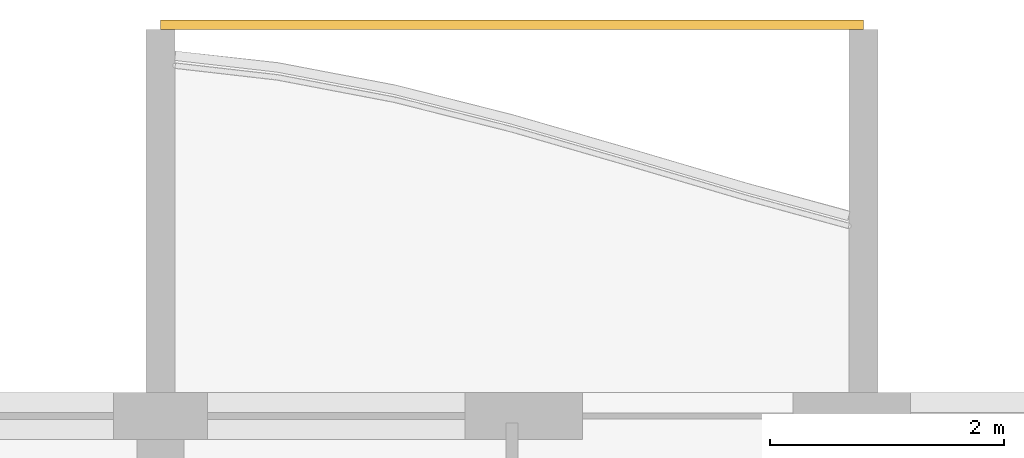
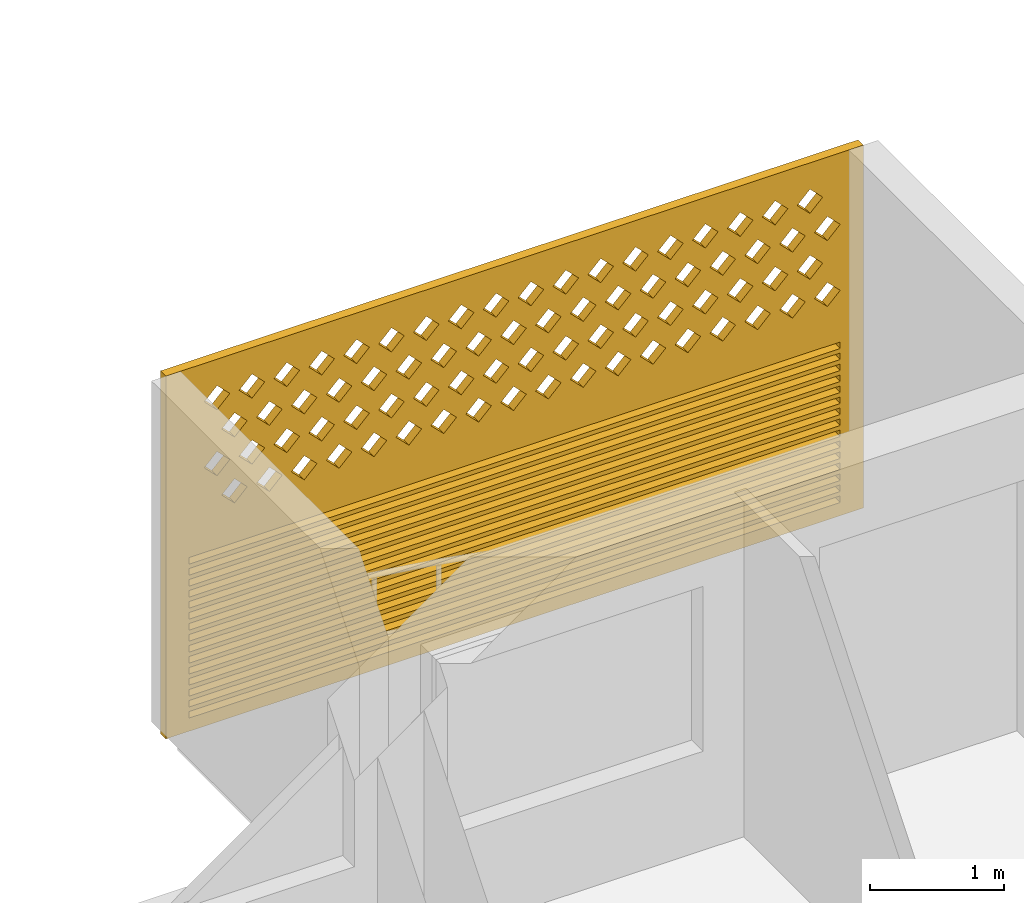
# One storey, part 23 of 38: 1 covering.
"""IFC4 building model written with IfcOpenShell, lengths in metres."""

from ifc_helpers import new_model, si_unit, direction, frame, origin, place, context, subcontext, project, spatial, polyline, outline, extrude, source, transform, mapped, material, material_profile, profile_set, type_object, element, save


model = new_model("IFC4")

# Units and contexts
model_context = context("Model", 3, precision=1e-05, world=origin(), true_north=direction((0.0, 1.0)))
body_context = subcontext(model_context, "Body", "Model", "MODEL_VIEW")
ifc_project = project(units=[si_unit("LENGTHUNIT", "METRE"), si_unit("AREAUNIT", "SQUARE_METRE"), si_unit("VOLUMEUNIT", "CUBIC_METRE"), si_unit("PLANEANGLEUNIT", "RADIAN"), si_unit("MASSUNIT", "GRAM", prefix="KILO")], contexts=[model_context])

# Site, building, storey
site_placement = place(None, origin())
site = spatial("IfcSite", under=ifc_project, at=site_placement, CompositionType="ELEMENT")
building_placement = place(site_placement, origin())
building = spatial("IfcBuilding", under=site, at=building_placement, Name="Poui Terraces", CompositionType="ELEMENT")
storey_placement = place(building_placement, frame((0.0, 0.0, 46.5)))
storey = spatial("IfcBuildingStorey", under=building, at=storey_placement, Name="L12", CompositionType="ELEMENT", Elevation=46.5)

# Covering
ifc_material = material(Name="Terracotta screen", Category="masonry")
ifc_material_profile = material_profile(ifc_material, outline(polyline([(-3.0, -1.64990234375), (3.0, -1.64990234375), (3.0, 1.64990234375), (-3.0, 1.64990234375), (-3.0, -1.64990234375)]), holes=[polyline([(-2.800048828125, 0.39990234375), (-2.68994140625, 0.2900390625), (-2.580078125, 0.39990234375), (-2.68994140625, 0.510009765625), (-2.800048828125, 0.39990234375)]), polyline([(-2.5, 0.39990234375), (-2.389892578125, 0.2900390625), (-2.280029296875, 0.39990234375), (-2.389892578125, 0.510009765625), (-2.5, 0.39990234375)]), polyline([(-2.199951171875, 0.39990234375), (-2.090087890625, 0.2900390625), (-1.97998046875, 0.39990234375), (-2.090087890625, 0.510009765625), (-2.199951171875, 0.39990234375)]), polyline([(-1.89990234375, 0.39990234375), (-1.7900390625, 0.2900390625), (-1.679931640625, 0.39990234375), (-1.7900390625, 0.510009765625), (-1.89990234375, 0.39990234375)]), polyline([(-1.60009765625, 0.39990234375), (-1.489990234375, 0.2900390625), (-1.3798828125, 0.39990234375), (-1.489990234375, 0.510009765625), (-1.60009765625, 0.39990234375)]), polyline([(-1.300048828125, 0.39990234375), (-1.18994140625, 0.2900390625), (-1.080078125, 0.39990234375), (-1.18994140625, 0.510009765625), (-1.300048828125, 0.39990234375)]), polyline([(-1.0, 0.39990234375), (-0.889892578125, 0.2900390625), (-0.780029296875, 0.39990234375), (-0.889892578125, 0.510009765625), (-1.0, 0.39990234375)]), polyline([(-0.699951171875, 0.39990234375), (-0.590087890625, 0.2900390625), (-0.47998046875, 0.39990234375), (-0.590087890625, 0.510009765625), (-0.699951171875, 0.39990234375)]), polyline([(-0.39990234375, 0.39990234375), (-0.2900390625, 0.2900390625), (-0.179931640625, 0.39990234375), (-0.2900390625, 0.510009765625), (-0.39990234375, 0.39990234375)]), polyline([(-0.10009765625, 0.39990234375), (0.010009765625, 0.2900390625), (0.1201171875, 0.39990234375), (0.010009765625, 0.510009765625), (-0.10009765625, 0.39990234375)]), polyline([(0.199951171875, 0.39990234375), (0.31005859375, 0.2900390625), (0.419921875, 0.39990234375), (0.31005859375, 0.510009765625), (0.199951171875, 0.39990234375)]), polyline([(0.5, 0.39990234375), (0.610107421875, 0.2900390625), (0.719970703125, 0.39990234375), (0.610107421875, 0.510009765625), (0.5, 0.39990234375)]), polyline([(0.800048828125, 0.39990234375), (0.909912109375, 0.2900390625), (1.02001953125, 0.39990234375), (0.909912109375, 0.510009765625), (0.800048828125, 0.39990234375)]), polyline([(1.10009765625, 0.39990234375), (1.2099609375, 0.2900390625), (1.320068359375, 0.39990234375), (1.2099609375, 0.510009765625), (1.10009765625, 0.39990234375)]), polyline([(1.39990234375, 0.39990234375), (1.510009765625, 0.2900390625), (1.6201171875, 0.39990234375), (1.510009765625, 0.510009765625), (1.39990234375, 0.39990234375)]), polyline([(1.699951171875, 0.39990234375), (1.81005859375, 0.2900390625), (1.919921875, 0.39990234375), (1.81005859375, 0.510009765625), (1.699951171875, 0.39990234375)]), polyline([(2.0, 0.39990234375), (2.110107421875, 0.2900390625), (2.219970703125, 0.39990234375), (2.110107421875, 0.510009765625), (2.0, 0.39990234375)]), polyline([(2.300048828125, 0.39990234375), (2.409912109375, 0.2900390625), (2.52001953125, 0.39990234375), (2.409912109375, 0.510009765625), (2.300048828125, 0.39990234375)]), polyline([(-2.64990234375, 0.699951171875), (-2.5400390625, 0.590087890625), (-2.429931640625, 0.699951171875), (-2.5400390625, 0.81005859375), (-2.64990234375, 0.699951171875)]), polyline([(-2.35009765625, 0.699951171875), (-2.239990234375, 0.590087890625), (-2.1298828125, 0.699951171875), (-2.239990234375, 0.81005859375), (-2.35009765625, 0.699951171875)]), polyline([(-2.050048828125, 0.699951171875), (-1.93994140625, 0.590087890625), (-1.830078125, 0.699951171875), (-1.93994140625, 0.81005859375), (-2.050048828125, 0.699951171875)]), polyline([(-1.75, 0.699951171875), (-1.639892578125, 0.590087890625), (-1.530029296875, 0.699951171875), (-1.639892578125, 0.81005859375), (-1.75, 0.699951171875)]), polyline([(-1.449951171875, 0.699951171875), (-1.340087890625, 0.590087890625), (-1.22998046875, 0.699951171875), (-1.340087890625, 0.81005859375), (-1.449951171875, 0.699951171875)]), polyline([(-1.14990234375, 0.699951171875), (-1.0400390625, 0.590087890625), (-0.929931640625, 0.699951171875), (-1.0400390625, 0.81005859375), (-1.14990234375, 0.699951171875)]), polyline([(-0.85009765625, 0.699951171875), (-0.739990234375, 0.590087890625), (-0.6298828125, 0.699951171875), (-0.739990234375, 0.81005859375), (-0.85009765625, 0.699951171875)]), polyline([(-0.550048828125, 0.699951171875), (-0.43994140625, 0.590087890625), (-0.330078125, 0.699951171875), (-0.43994140625, 0.81005859375), (-0.550048828125, 0.699951171875)]), polyline([(-0.25, 0.699951171875), (-0.139892578125, 0.590087890625), (-0.030029296875, 0.699951171875), (-0.139892578125, 0.81005859375), (-0.25, 0.699951171875)]), polyline([(0.050048828125, 0.699951171875), (0.159912109375, 0.590087890625), (0.27001953125, 0.699951171875), (0.159912109375, 0.81005859375), (0.050048828125, 0.699951171875)]), polyline([(0.35009765625, 0.699951171875), (0.4599609375, 0.590087890625), (0.570068359375, 0.699951171875), (0.4599609375, 0.81005859375), (0.35009765625, 0.699951171875)]), polyline([(0.64990234375, 0.699951171875), (0.760009765625, 0.590087890625), (0.8701171875, 0.699951171875), (0.760009765625, 0.81005859375), (0.64990234375, 0.699951171875)]), polyline([(0.949951171875, 0.699951171875), (1.06005859375, 0.590087890625), (1.169921875, 0.699951171875), (1.06005859375, 0.81005859375), (0.949951171875, 0.699951171875)]), polyline([(1.25, 0.699951171875), (1.360107421875, 0.590087890625), (1.469970703125, 0.699951171875), (1.360107421875, 0.81005859375), (1.25, 0.699951171875)]), polyline([(1.550048828125, 0.699951171875), (1.659912109375, 0.590087890625), (1.77001953125, 0.699951171875), (1.659912109375, 0.81005859375), (1.550048828125, 0.699951171875)]), polyline([(1.85009765625, 0.699951171875), (1.9599609375, 0.590087890625), (2.070068359375, 0.699951171875), (1.9599609375, 0.81005859375), (1.85009765625, 0.699951171875)]), polyline([(2.14990234375, 0.699951171875), (2.260009765625, 0.590087890625), (2.3701171875, 0.699951171875), (2.260009765625, 0.81005859375), (2.14990234375, 0.699951171875)]), polyline([(2.449951171875, 0.699951171875), (2.56005859375, 0.590087890625), (2.669921875, 0.699951171875), (2.56005859375, 0.81005859375), (2.449951171875, 0.699951171875)]), polyline([(-2.800048828125, 1.0), (-2.68994140625, 0.889892578125), (-2.580078125, 1.0), (-2.68994140625, 1.110107421875), (-2.800048828125, 1.0)]), polyline([(-2.5, 1.0), (-2.389892578125, 0.889892578125), (-2.280029296875, 1.0), (-2.389892578125, 1.110107421875), (-2.5, 1.0)]), polyline([(-2.199951171875, 1.0), (-2.090087890625, 0.889892578125), (-1.97998046875, 1.0), (-2.090087890625, 1.110107421875), (-2.199951171875, 1.0)]), polyline([(-1.89990234375, 1.0), (-1.7900390625, 0.889892578125), (-1.679931640625, 1.0), (-1.7900390625, 1.110107421875), (-1.89990234375, 1.0)]), polyline([(-1.60009765625, 1.0), (-1.489990234375, 0.889892578125), (-1.3798828125, 1.0), (-1.489990234375, 1.110107421875), (-1.60009765625, 1.0)]), polyline([(-1.300048828125, 1.0), (-1.18994140625, 0.889892578125), (-1.080078125, 1.0), (-1.18994140625, 1.110107421875), (-1.300048828125, 1.0)]), polyline([(-1.0, 1.0), (-0.889892578125, 0.889892578125), (-0.780029296875, 1.0), (-0.889892578125, 1.110107421875), (-1.0, 1.0)]), polyline([(-0.699951171875, 1.0), (-0.590087890625, 0.889892578125), (-0.47998046875, 1.0), (-0.590087890625, 1.110107421875), (-0.699951171875, 1.0)]), polyline([(-0.39990234375, 1.0), (-0.2900390625, 0.889892578125), (-0.179931640625, 1.0), (-0.2900390625, 1.110107421875), (-0.39990234375, 1.0)]), polyline([(-0.10009765625, 1.0), (0.010009765625, 0.889892578125), (0.1201171875, 1.0), (0.010009765625, 1.110107421875), (-0.10009765625, 1.0)]), polyline([(0.199951171875, 1.0), (0.31005859375, 0.889892578125), (0.419921875, 1.0), (0.31005859375, 1.110107421875), (0.199951171875, 1.0)]), polyline([(0.5, 1.0), (0.610107421875, 0.889892578125), (0.719970703125, 1.0), (0.610107421875, 1.110107421875), (0.5, 1.0)]), polyline([(0.800048828125, 1.0), (0.909912109375, 0.889892578125), (1.02001953125, 1.0), (0.909912109375, 1.110107421875), (0.800048828125, 1.0)]), polyline([(1.10009765625, 1.0), (1.2099609375, 0.889892578125), (1.320068359375, 1.0), (1.2099609375, 1.110107421875), (1.10009765625, 1.0)]), polyline([(1.39990234375, 1.0), (1.510009765625, 0.889892578125), (1.6201171875, 1.0), (1.510009765625, 1.110107421875), (1.39990234375, 1.0)]), polyline([(1.699951171875, 1.0), (1.81005859375, 0.889892578125), (1.919921875, 1.0), (1.81005859375, 1.110107421875), (1.699951171875, 1.0)]), polyline([(2.0, 1.0), (2.110107421875, 0.889892578125), (2.219970703125, 1.0), (2.110107421875, 1.110107421875), (2.0, 1.0)]), polyline([(2.300048828125, 1.0), (2.409912109375, 0.889892578125), (2.52001953125, 1.0), (2.409912109375, 1.110107421875), (2.300048828125, 1.0)]), polyline([(-2.64990234375, 1.300048828125), (-2.5400390625, 1.18994140625), (-2.429931640625, 1.300048828125), (-2.5400390625, 1.409912109375), (-2.64990234375, 1.300048828125)]), polyline([(-2.35009765625, 1.300048828125), (-2.239990234375, 1.18994140625), (-2.1298828125, 1.300048828125), (-2.239990234375, 1.409912109375), (-2.35009765625, 1.300048828125)]), polyline([(-2.050048828125, 1.300048828125), (-1.93994140625, 1.18994140625), (-1.830078125, 1.300048828125), (-1.93994140625, 1.409912109375), (-2.050048828125, 1.300048828125)]), polyline([(-1.75, 1.300048828125), (-1.639892578125, 1.18994140625), (-1.530029296875, 1.300048828125), (-1.639892578125, 1.409912109375), (-1.75, 1.300048828125)]), polyline([(-1.449951171875, 1.300048828125), (-1.340087890625, 1.18994140625), (-1.22998046875, 1.300048828125), (-1.340087890625, 1.409912109375), (-1.449951171875, 1.300048828125)]), polyline([(-1.14990234375, 1.300048828125), (-1.0400390625, 1.18994140625), (-0.929931640625, 1.300048828125), (-1.0400390625, 1.409912109375), (-1.14990234375, 1.300048828125)]), polyline([(-0.85009765625, 1.300048828125), (-0.739990234375, 1.18994140625), (-0.6298828125, 1.300048828125), (-0.739990234375, 1.409912109375), (-0.85009765625, 1.300048828125)]), polyline([(-0.550048828125, 1.300048828125), (-0.43994140625, 1.18994140625), (-0.330078125, 1.300048828125), (-0.43994140625, 1.409912109375), (-0.550048828125, 1.300048828125)]), polyline([(-0.25, 1.300048828125), (-0.139892578125, 1.18994140625), (-0.030029296875, 1.300048828125), (-0.139892578125, 1.409912109375), (-0.25, 1.300048828125)]), polyline([(0.050048828125, 1.300048828125), (0.159912109375, 1.18994140625), (0.27001953125, 1.300048828125), (0.159912109375, 1.409912109375), (0.050048828125, 1.300048828125)]), polyline([(0.35009765625, 1.300048828125), (0.4599609375, 1.18994140625), (0.570068359375, 1.300048828125), (0.4599609375, 1.409912109375), (0.35009765625, 1.300048828125)]), polyline([(0.64990234375, 1.300048828125), (0.760009765625, 1.18994140625), (0.8701171875, 1.300048828125), (0.760009765625, 1.409912109375), (0.64990234375, 1.300048828125)]), polyline([(0.949951171875, 1.300048828125), (1.06005859375, 1.18994140625), (1.169921875, 1.300048828125), (1.06005859375, 1.409912109375), (0.949951171875, 1.300048828125)]), polyline([(1.25, 1.300048828125), (1.360107421875, 1.18994140625), (1.469970703125, 1.300048828125), (1.360107421875, 1.409912109375), (1.25, 1.300048828125)]), polyline([(1.550048828125, 1.300048828125), (1.659912109375, 1.18994140625), (1.77001953125, 1.300048828125), (1.659912109375, 1.409912109375), (1.550048828125, 1.300048828125)]), polyline([(1.85009765625, 1.300048828125), (1.9599609375, 1.18994140625), (2.070068359375, 1.300048828125), (1.9599609375, 1.409912109375), (1.85009765625, 1.300048828125)]), polyline([(2.14990234375, 1.300048828125), (2.260009765625, 1.18994140625), (2.3701171875, 1.300048828125), (2.260009765625, 1.409912109375), (2.14990234375, 1.300048828125)]), polyline([(2.449951171875, 1.300048828125), (2.56005859375, 1.18994140625), (2.669921875, 1.300048828125), (2.56005859375, 1.409912109375), (2.449951171875, 1.300048828125)]), polyline([(-2.800048828125, -1.530029296875), (2.800048828125, -1.530029296875), (2.800048828125, -1.469970703125), (-2.800048828125, -1.469970703125), (-2.800048828125, -1.530029296875)]), polyline([(-2.800048828125, -1.429931640625), (2.800048828125, -1.429931640625), (2.800048828125, -1.3701171875), (-2.800048828125, -1.3701171875), (-2.800048828125, -1.429931640625)]), polyline([(-2.800048828125, -1.330078125), (2.800048828125, -1.330078125), (2.800048828125, -1.27001953125), (-2.800048828125, -1.27001953125), (-2.800048828125, -1.330078125)]), polyline([(-2.800048828125, -1.22998046875), (2.800048828125, -1.22998046875), (2.800048828125, -1.169921875), (-2.800048828125, -1.169921875), (-2.800048828125, -1.22998046875)]), polyline([(-2.800048828125, -1.1298828125), (2.800048828125, -1.1298828125), (2.800048828125, -1.070068359375), (-2.800048828125, -1.070068359375), (-2.800048828125, -1.1298828125)]), polyline([(-2.800048828125, -1.030029296875), (2.800048828125, -1.030029296875), (2.800048828125, -0.969970703125), (-2.800048828125, -0.969970703125), (-2.800048828125, -1.030029296875)]), polyline([(-2.800048828125, -0.929931640625), (2.800048828125, -0.929931640625), (2.800048828125, -0.8701171875), (-2.800048828125, -0.8701171875), (-2.800048828125, -0.929931640625)]), polyline([(-2.800048828125, -0.830078125), (2.800048828125, -0.830078125), (2.800048828125, -0.77001953125), (-2.800048828125, -0.77001953125), (-2.800048828125, -0.830078125)]), polyline([(-2.800048828125, -0.72998046875), (2.800048828125, -0.72998046875), (2.800048828125, -0.669921875), (-2.800048828125, -0.669921875), (-2.800048828125, -0.72998046875)]), polyline([(-2.800048828125, -0.6298828125), (2.800048828125, -0.6298828125), (2.800048828125, -0.570068359375), (-2.800048828125, -0.570068359375), (-2.800048828125, -0.6298828125)]), polyline([(-2.800048828125, -0.530029296875), (2.800048828125, -0.530029296875), (2.800048828125, -0.469970703125), (-2.800048828125, -0.469970703125), (-2.800048828125, -0.530029296875)]), polyline([(-2.800048828125, -0.429931640625), (2.800048828125, -0.429931640625), (2.800048828125, -0.3701171875), (-2.800048828125, -0.3701171875), (-2.800048828125, -0.429931640625)]), polyline([(-2.800048828125, -0.330078125), (2.800048828125, -0.330078125), (2.800048828125, -0.27001953125), (-2.800048828125, -0.27001953125), (-2.800048828125, -0.330078125)]), polyline([(-2.800048828125, -0.22998046875), (2.800048828125, -0.22998046875), (2.800048828125, -0.169921875), (-2.800048828125, -0.169921875), (-2.800048828125, -0.22998046875)]), polyline([(-2.800048828125, -0.1298828125), (2.800048828125, -0.1298828125), (2.800048828125, -0.070068359375), (-2.800048828125, -0.070068359375), (-2.800048828125, -0.1298828125)])]), Name="TERRACOTTA SCREEN AND JALOUSIE LOUVRE 6000X3300")
ifc_profile_set = profile_set([ifc_material_profile], Name="Terracotta screen")
covering_type = type_object("IfcCoveringType", Name="TERRACOTTA SCREEN AND JALOUSIE LOUVRE 6000X3300", PredefinedType="CLADDING", material=ifc_profile_set)
shared_shape = source(origin(), body_context, "Body", "SweptSolid", [
    extrude(outline(polyline([(-3.0, -1.64990234375), (3.0, -1.64990234375), (3.0, 1.64990234375), (-3.0, 1.64990234375), (-3.0, -1.64990234375)]), holes=[polyline([(-2.800048828125, 0.39990234375), (-2.68994140625, 0.2900390625), (-2.580078125, 0.39990234375), (-2.68994140625, 0.510009765625), (-2.800048828125, 0.39990234375)]), polyline([(-2.5, 0.39990234375), (-2.389892578125, 0.2900390625), (-2.280029296875, 0.39990234375), (-2.389892578125, 0.510009765625), (-2.5, 0.39990234375)]), polyline([(-2.199951171875, 0.39990234375), (-2.090087890625, 0.2900390625), (-1.97998046875, 0.39990234375), (-2.090087890625, 0.510009765625), (-2.199951171875, 0.39990234375)]), polyline([(-1.89990234375, 0.39990234375), (-1.7900390625, 0.2900390625), (-1.679931640625, 0.39990234375), (-1.7900390625, 0.510009765625), (-1.89990234375, 0.39990234375)]), polyline([(-1.60009765625, 0.39990234375), (-1.489990234375, 0.2900390625), (-1.3798828125, 0.39990234375), (-1.489990234375, 0.510009765625), (-1.60009765625, 0.39990234375)]), polyline([(-1.300048828125, 0.39990234375), (-1.18994140625, 0.2900390625), (-1.080078125, 0.39990234375), (-1.18994140625, 0.510009765625), (-1.300048828125, 0.39990234375)]), polyline([(-1.0, 0.39990234375), (-0.889892578125, 0.2900390625), (-0.780029296875, 0.39990234375), (-0.889892578125, 0.510009765625), (-1.0, 0.39990234375)]), polyline([(-0.699951171875, 0.39990234375), (-0.590087890625, 0.2900390625), (-0.47998046875, 0.39990234375), (-0.590087890625, 0.510009765625), (-0.699951171875, 0.39990234375)]), polyline([(-0.39990234375, 0.39990234375), (-0.2900390625, 0.2900390625), (-0.179931640625, 0.39990234375), (-0.2900390625, 0.510009765625), (-0.39990234375, 0.39990234375)]), polyline([(-0.10009765625, 0.39990234375), (0.010009765625, 0.2900390625), (0.1201171875, 0.39990234375), (0.010009765625, 0.510009765625), (-0.10009765625, 0.39990234375)]), polyline([(0.199951171875, 0.39990234375), (0.31005859375, 0.2900390625), (0.419921875, 0.39990234375), (0.31005859375, 0.510009765625), (0.199951171875, 0.39990234375)]), polyline([(0.5, 0.39990234375), (0.610107421875, 0.2900390625), (0.719970703125, 0.39990234375), (0.610107421875, 0.510009765625), (0.5, 0.39990234375)]), polyline([(0.800048828125, 0.39990234375), (0.909912109375, 0.2900390625), (1.02001953125, 0.39990234375), (0.909912109375, 0.510009765625), (0.800048828125, 0.39990234375)]), polyline([(1.10009765625, 0.39990234375), (1.2099609375, 0.2900390625), (1.320068359375, 0.39990234375), (1.2099609375, 0.510009765625), (1.10009765625, 0.39990234375)]), polyline([(1.39990234375, 0.39990234375), (1.510009765625, 0.2900390625), (1.6201171875, 0.39990234375), (1.510009765625, 0.510009765625), (1.39990234375, 0.39990234375)]), polyline([(1.699951171875, 0.39990234375), (1.81005859375, 0.2900390625), (1.919921875, 0.39990234375), (1.81005859375, 0.510009765625), (1.699951171875, 0.39990234375)]), polyline([(2.0, 0.39990234375), (2.110107421875, 0.2900390625), (2.219970703125, 0.39990234375), (2.110107421875, 0.510009765625), (2.0, 0.39990234375)]), polyline([(2.300048828125, 0.39990234375), (2.409912109375, 0.2900390625), (2.52001953125, 0.39990234375), (2.409912109375, 0.510009765625), (2.300048828125, 0.39990234375)]), polyline([(-2.64990234375, 0.699951171875), (-2.5400390625, 0.590087890625), (-2.429931640625, 0.699951171875), (-2.5400390625, 0.81005859375), (-2.64990234375, 0.699951171875)]), polyline([(-2.35009765625, 0.699951171875), (-2.239990234375, 0.590087890625), (-2.1298828125, 0.699951171875), (-2.239990234375, 0.81005859375), (-2.35009765625, 0.699951171875)]), polyline([(-2.050048828125, 0.699951171875), (-1.93994140625, 0.590087890625), (-1.830078125, 0.699951171875), (-1.93994140625, 0.81005859375), (-2.050048828125, 0.699951171875)]), polyline([(-1.75, 0.699951171875), (-1.639892578125, 0.590087890625), (-1.530029296875, 0.699951171875), (-1.639892578125, 0.81005859375), (-1.75, 0.699951171875)]), polyline([(-1.449951171875, 0.699951171875), (-1.340087890625, 0.590087890625), (-1.22998046875, 0.699951171875), (-1.340087890625, 0.81005859375), (-1.449951171875, 0.699951171875)]), polyline([(-1.14990234375, 0.699951171875), (-1.0400390625, 0.590087890625), (-0.929931640625, 0.699951171875), (-1.0400390625, 0.81005859375), (-1.14990234375, 0.699951171875)]), polyline([(-0.85009765625, 0.699951171875), (-0.739990234375, 0.590087890625), (-0.6298828125, 0.699951171875), (-0.739990234375, 0.81005859375), (-0.85009765625, 0.699951171875)]), polyline([(-0.550048828125, 0.699951171875), (-0.43994140625, 0.590087890625), (-0.330078125, 0.699951171875), (-0.43994140625, 0.81005859375), (-0.550048828125, 0.699951171875)]), polyline([(-0.25, 0.699951171875), (-0.139892578125, 0.590087890625), (-0.030029296875, 0.699951171875), (-0.139892578125, 0.81005859375), (-0.25, 0.699951171875)]), polyline([(0.050048828125, 0.699951171875), (0.159912109375, 0.590087890625), (0.27001953125, 0.699951171875), (0.159912109375, 0.81005859375), (0.050048828125, 0.699951171875)]), polyline([(0.35009765625, 0.699951171875), (0.4599609375, 0.590087890625), (0.570068359375, 0.699951171875), (0.4599609375, 0.81005859375), (0.35009765625, 0.699951171875)]), polyline([(0.64990234375, 0.699951171875), (0.760009765625, 0.590087890625), (0.8701171875, 0.699951171875), (0.760009765625, 0.81005859375), (0.64990234375, 0.699951171875)]), polyline([(0.949951171875, 0.699951171875), (1.06005859375, 0.590087890625), (1.169921875, 0.699951171875), (1.06005859375, 0.81005859375), (0.949951171875, 0.699951171875)]), polyline([(1.25, 0.699951171875), (1.360107421875, 0.590087890625), (1.469970703125, 0.699951171875), (1.360107421875, 0.81005859375), (1.25, 0.699951171875)]), polyline([(1.550048828125, 0.699951171875), (1.659912109375, 0.590087890625), (1.77001953125, 0.699951171875), (1.659912109375, 0.81005859375), (1.550048828125, 0.699951171875)]), polyline([(1.85009765625, 0.699951171875), (1.9599609375, 0.590087890625), (2.070068359375, 0.699951171875), (1.9599609375, 0.81005859375), (1.85009765625, 0.699951171875)]), polyline([(2.14990234375, 0.699951171875), (2.260009765625, 0.590087890625), (2.3701171875, 0.699951171875), (2.260009765625, 0.81005859375), (2.14990234375, 0.699951171875)]), polyline([(2.449951171875, 0.699951171875), (2.56005859375, 0.590087890625), (2.669921875, 0.699951171875), (2.56005859375, 0.81005859375), (2.449951171875, 0.699951171875)]), polyline([(-2.800048828125, 1.0), (-2.68994140625, 0.889892578125), (-2.580078125, 1.0), (-2.68994140625, 1.110107421875), (-2.800048828125, 1.0)]), polyline([(-2.5, 1.0), (-2.389892578125, 0.889892578125), (-2.280029296875, 1.0), (-2.389892578125, 1.110107421875), (-2.5, 1.0)]), polyline([(-2.199951171875, 1.0), (-2.090087890625, 0.889892578125), (-1.97998046875, 1.0), (-2.090087890625, 1.110107421875), (-2.199951171875, 1.0)]), polyline([(-1.89990234375, 1.0), (-1.7900390625, 0.889892578125), (-1.679931640625, 1.0), (-1.7900390625, 1.110107421875), (-1.89990234375, 1.0)]), polyline([(-1.60009765625, 1.0), (-1.489990234375, 0.889892578125), (-1.3798828125, 1.0), (-1.489990234375, 1.110107421875), (-1.60009765625, 1.0)]), polyline([(-1.300048828125, 1.0), (-1.18994140625, 0.889892578125), (-1.080078125, 1.0), (-1.18994140625, 1.110107421875), (-1.300048828125, 1.0)]), polyline([(-1.0, 1.0), (-0.889892578125, 0.889892578125), (-0.780029296875, 1.0), (-0.889892578125, 1.110107421875), (-1.0, 1.0)]), polyline([(-0.699951171875, 1.0), (-0.590087890625, 0.889892578125), (-0.47998046875, 1.0), (-0.590087890625, 1.110107421875), (-0.699951171875, 1.0)]), polyline([(-0.39990234375, 1.0), (-0.2900390625, 0.889892578125), (-0.179931640625, 1.0), (-0.2900390625, 1.110107421875), (-0.39990234375, 1.0)]), polyline([(-0.10009765625, 1.0), (0.010009765625, 0.889892578125), (0.1201171875, 1.0), (0.010009765625, 1.110107421875), (-0.10009765625, 1.0)]), polyline([(0.199951171875, 1.0), (0.31005859375, 0.889892578125), (0.419921875, 1.0), (0.31005859375, 1.110107421875), (0.199951171875, 1.0)]), polyline([(0.5, 1.0), (0.610107421875, 0.889892578125), (0.719970703125, 1.0), (0.610107421875, 1.110107421875), (0.5, 1.0)]), polyline([(0.800048828125, 1.0), (0.909912109375, 0.889892578125), (1.02001953125, 1.0), (0.909912109375, 1.110107421875), (0.800048828125, 1.0)]), polyline([(1.10009765625, 1.0), (1.2099609375, 0.889892578125), (1.320068359375, 1.0), (1.2099609375, 1.110107421875), (1.10009765625, 1.0)]), polyline([(1.39990234375, 1.0), (1.510009765625, 0.889892578125), (1.6201171875, 1.0), (1.510009765625, 1.110107421875), (1.39990234375, 1.0)]), polyline([(1.699951171875, 1.0), (1.81005859375, 0.889892578125), (1.919921875, 1.0), (1.81005859375, 1.110107421875), (1.699951171875, 1.0)]), polyline([(2.0, 1.0), (2.110107421875, 0.889892578125), (2.219970703125, 1.0), (2.110107421875, 1.110107421875), (2.0, 1.0)]), polyline([(2.300048828125, 1.0), (2.409912109375, 0.889892578125), (2.52001953125, 1.0), (2.409912109375, 1.110107421875), (2.300048828125, 1.0)]), polyline([(-2.64990234375, 1.300048828125), (-2.5400390625, 1.18994140625), (-2.429931640625, 1.300048828125), (-2.5400390625, 1.409912109375), (-2.64990234375, 1.300048828125)]), polyline([(-2.35009765625, 1.300048828125), (-2.239990234375, 1.18994140625), (-2.1298828125, 1.300048828125), (-2.239990234375, 1.409912109375), (-2.35009765625, 1.300048828125)]), polyline([(-2.050048828125, 1.300048828125), (-1.93994140625, 1.18994140625), (-1.830078125, 1.300048828125), (-1.93994140625, 1.409912109375), (-2.050048828125, 1.300048828125)]), polyline([(-1.75, 1.300048828125), (-1.639892578125, 1.18994140625), (-1.530029296875, 1.300048828125), (-1.639892578125, 1.409912109375), (-1.75, 1.300048828125)]), polyline([(-1.449951171875, 1.300048828125), (-1.340087890625, 1.18994140625), (-1.22998046875, 1.300048828125), (-1.340087890625, 1.409912109375), (-1.449951171875, 1.300048828125)]), polyline([(-1.14990234375, 1.300048828125), (-1.0400390625, 1.18994140625), (-0.929931640625, 1.300048828125), (-1.0400390625, 1.409912109375), (-1.14990234375, 1.300048828125)]), polyline([(-0.85009765625, 1.300048828125), (-0.739990234375, 1.18994140625), (-0.6298828125, 1.300048828125), (-0.739990234375, 1.409912109375), (-0.85009765625, 1.300048828125)]), polyline([(-0.550048828125, 1.300048828125), (-0.43994140625, 1.18994140625), (-0.330078125, 1.300048828125), (-0.43994140625, 1.409912109375), (-0.550048828125, 1.300048828125)]), polyline([(-0.25, 1.300048828125), (-0.139892578125, 1.18994140625), (-0.030029296875, 1.300048828125), (-0.139892578125, 1.409912109375), (-0.25, 1.300048828125)]), polyline([(0.050048828125, 1.300048828125), (0.159912109375, 1.18994140625), (0.27001953125, 1.300048828125), (0.159912109375, 1.409912109375), (0.050048828125, 1.300048828125)]), polyline([(0.35009765625, 1.300048828125), (0.4599609375, 1.18994140625), (0.570068359375, 1.300048828125), (0.4599609375, 1.409912109375), (0.35009765625, 1.300048828125)]), polyline([(0.64990234375, 1.300048828125), (0.760009765625, 1.18994140625), (0.8701171875, 1.300048828125), (0.760009765625, 1.409912109375), (0.64990234375, 1.300048828125)]), polyline([(0.949951171875, 1.300048828125), (1.06005859375, 1.18994140625), (1.169921875, 1.300048828125), (1.06005859375, 1.409912109375), (0.949951171875, 1.300048828125)]), polyline([(1.25, 1.300048828125), (1.360107421875, 1.18994140625), (1.469970703125, 1.300048828125), (1.360107421875, 1.409912109375), (1.25, 1.300048828125)]), polyline([(1.550048828125, 1.300048828125), (1.659912109375, 1.18994140625), (1.77001953125, 1.300048828125), (1.659912109375, 1.409912109375), (1.550048828125, 1.300048828125)]), polyline([(1.85009765625, 1.300048828125), (1.9599609375, 1.18994140625), (2.070068359375, 1.300048828125), (1.9599609375, 1.409912109375), (1.85009765625, 1.300048828125)]), polyline([(2.14990234375, 1.300048828125), (2.260009765625, 1.18994140625), (2.3701171875, 1.300048828125), (2.260009765625, 1.409912109375), (2.14990234375, 1.300048828125)]), polyline([(2.449951171875, 1.300048828125), (2.56005859375, 1.18994140625), (2.669921875, 1.300048828125), (2.56005859375, 1.409912109375), (2.449951171875, 1.300048828125)]), polyline([(-2.800048828125, -1.530029296875), (2.800048828125, -1.530029296875), (2.800048828125, -1.469970703125), (-2.800048828125, -1.469970703125), (-2.800048828125, -1.530029296875)]), polyline([(-2.800048828125, -1.429931640625), (2.800048828125, -1.429931640625), (2.800048828125, -1.3701171875), (-2.800048828125, -1.3701171875), (-2.800048828125, -1.429931640625)]), polyline([(-2.800048828125, -1.330078125), (2.800048828125, -1.330078125), (2.800048828125, -1.27001953125), (-2.800048828125, -1.27001953125), (-2.800048828125, -1.330078125)]), polyline([(-2.800048828125, -1.22998046875), (2.800048828125, -1.22998046875), (2.800048828125, -1.169921875), (-2.800048828125, -1.169921875), (-2.800048828125, -1.22998046875)]), polyline([(-2.800048828125, -1.1298828125), (2.800048828125, -1.1298828125), (2.800048828125, -1.070068359375), (-2.800048828125, -1.070068359375), (-2.800048828125, -1.1298828125)]), polyline([(-2.800048828125, -1.030029296875), (2.800048828125, -1.030029296875), (2.800048828125, -0.969970703125), (-2.800048828125, -0.969970703125), (-2.800048828125, -1.030029296875)]), polyline([(-2.800048828125, -0.929931640625), (2.800048828125, -0.929931640625), (2.800048828125, -0.8701171875), (-2.800048828125, -0.8701171875), (-2.800048828125, -0.929931640625)]), polyline([(-2.800048828125, -0.830078125), (2.800048828125, -0.830078125), (2.800048828125, -0.77001953125), (-2.800048828125, -0.77001953125), (-2.800048828125, -0.830078125)]), polyline([(-2.800048828125, -0.72998046875), (2.800048828125, -0.72998046875), (2.800048828125, -0.669921875), (-2.800048828125, -0.669921875), (-2.800048828125, -0.72998046875)]), polyline([(-2.800048828125, -0.6298828125), (2.800048828125, -0.6298828125), (2.800048828125, -0.570068359375), (-2.800048828125, -0.570068359375), (-2.800048828125, -0.6298828125)]), polyline([(-2.800048828125, -0.530029296875), (2.800048828125, -0.530029296875), (2.800048828125, -0.469970703125), (-2.800048828125, -0.469970703125), (-2.800048828125, -0.530029296875)]), polyline([(-2.800048828125, -0.429931640625), (2.800048828125, -0.429931640625), (2.800048828125, -0.3701171875), (-2.800048828125, -0.3701171875), (-2.800048828125, -0.429931640625)]), polyline([(-2.800048828125, -0.330078125), (2.800048828125, -0.330078125), (2.800048828125, -0.27001953125), (-2.800048828125, -0.27001953125), (-2.800048828125, -0.330078125)]), polyline([(-2.800048828125, -0.22998046875), (2.800048828125, -0.22998046875), (2.800048828125, -0.169921875), (-2.800048828125, -0.169921875), (-2.800048828125, -0.22998046875)]), polyline([(-2.800048828125, -0.1298828125), (2.800048828125, -0.1298828125), (2.800048828125, -0.070068359375), (-2.800048828125, -0.070068359375), (-2.800048828125, -0.1298828125)])]), origin(), (0.0, 0.0, 1.0), 0.079833984375),
])
covering_placement = place(storey_placement, frame((21.0, 48.10009765625, 1.449951171875), z_axis=(0.0, 1.0, 0.0), x_axis=(-1.0, 0.0, 0.0)))
element("IfcCovering", 1, at=covering_placement, inside=storey, type_object=covering_type, Name="SOLAR SCREEN AND JALOUSIE LOUVRE", PredefinedType="CLADDING", context=body_context, shape_type="MappedRepresentation", body=[
    mapped(shared_shape, transform((0.0, 0.0, 0.0))),
])

save(model, "model.ifc")
